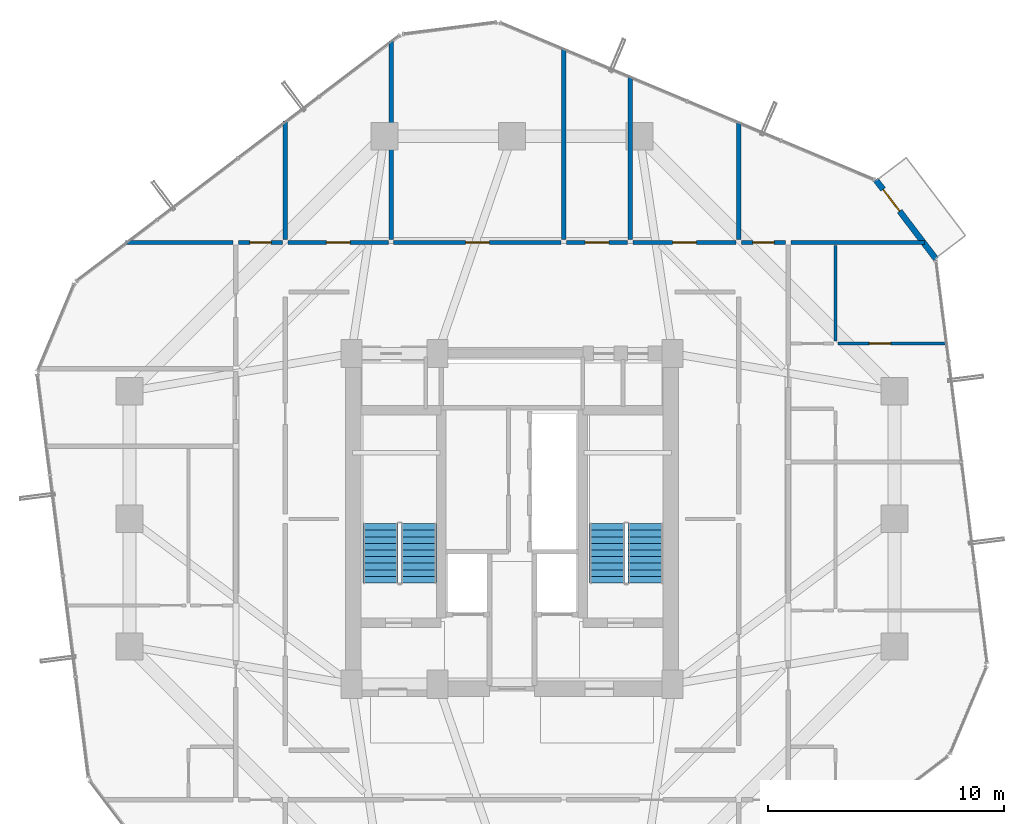
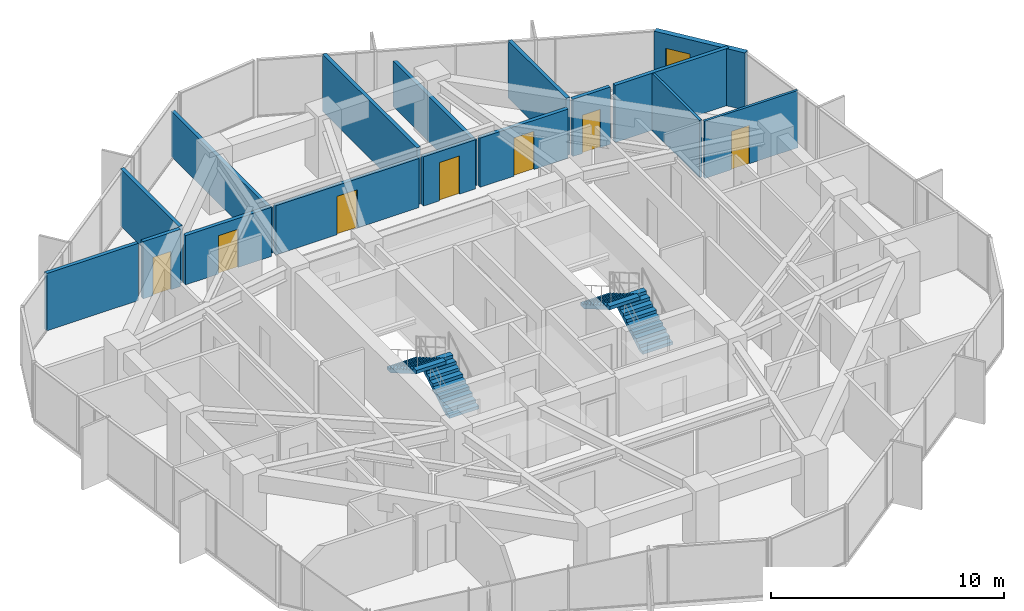
# One storey, part 31 of 33: 16 walls, 8 doors, 4 stair flights, 8 openings, 2 elements without a shape of their own.
"""IFC4 building model written with IfcOpenShell, lengths in metres."""

from ifc_helpers import new_model, si_unit, direction, frame, frame_2d, origin, place, context, subcontext, project, spatial, polyline, rectangle, outline, extrude, source, transform, mapped, material, layer, layer_set, type_object, element, fill, aggregate, save


model = new_model("IFC4")

# Units and contexts
model_context = context("Model", 3, precision=1e-05, world=origin(), true_north=direction((0.0, 1.0)))
body_context = subcontext(model_context, "Body", "Model", "MODEL_VIEW")
ifc_project = project(units=[si_unit("LENGTHUNIT", "METRE"), si_unit("AREAUNIT", "SQUARE_METRE"), si_unit("VOLUMEUNIT", "CUBIC_METRE"), si_unit("PLANEANGLEUNIT", "RADIAN"), si_unit("MASSUNIT", "GRAM", prefix="KILO")], contexts=[model_context])

# Site, building, storey
site_placement = place(None, origin())
site = spatial("IfcSite", under=ifc_project, at=site_placement, CompositionType="ELEMENT")
building_placement = place(site_placement, origin())
building = spatial("IfcBuilding", under=site, at=building_placement, Name="Veraguas Prism Commons", CompositionType="ELEMENT")
storey_placement = place(building_placement, frame((0.0, 0.0, 152.25)))
storey = spatial("IfcBuildingStorey", under=building, at=storey_placement, Name="L43", CompositionType="ELEMENT", Elevation=152.25)

# Walls
ifc_material_1 = material(Name="Autoclaved aerated masonry block 10 MPa", Category="masonry")
ifc_layer_1 = layer(ifc_material_1, 0.179931640625, Name="Corridor and Inter-Tenancy Partition 180", Category="masonry")
ifc_layer_set_1 = layer_set([ifc_layer_1], Name="Autoclaved aerated masonry block 10 MPa")
wall_type_1 = type_object("IfcWallType", Name="Corridor and Inter-Tenancy Partition 180", PredefinedType="PARTITIONING", material=ifc_layer_set_1)
wall_1_placement = place(storey_placement, frame((14.39990234375, 35.820068359375, 0.0), z_axis=(0.0, 0.0, 1.0), x_axis=(0.0, 1.0, 0.0)))
element("IfcWall", 1, at=wall_1_placement, inside=storey, type_object=wall_type_1, Name="WL-L43-PT005", PredefinedType="PARTITIONING", context=body_context, shape_type="SweptSolid", body=[
    extrude(rectangle(XDim=5.015625, YDim=0.179931640625, at=frame_2d((2.5078125, 0.0))), origin(), (0.0, 0.0, 1.0), 3.0),
])
wall_2_placement = place(storey_placement, frame((33.60009765625, 35.820068359375, 0.0), z_axis=(0.0, 0.0, 1.0), x_axis=(0.0, 1.0, 0.0)))
element("IfcWall", 2, at=wall_2_placement, inside=storey, type_object=wall_type_1, Name="WL-L43-PT006", PredefinedType="PARTITIONING", context=body_context, shape_type="SweptSolid", body=[
    extrude(rectangle(XDim=4.987060546875, YDim=0.179931640625, at=frame_2d((2.49365234375, 0.0))), origin(), (0.0, 0.0, 1.0), 3.0),
])

# Wall, opening, door
wall_3_placement = place(storey_placement, frame((14.510009765625, 35.699951171875, 0.0), z_axis=(0.0, 0.0, 1.0), x_axis=(1.0, 0.0, 0.0)))
wall_3 = element("IfcWall", 3, at=wall_3_placement, inside=storey, type_object=wall_type_1, Name="WL-L43-PT007", PredefinedType="PARTITIONING", context=body_context, shape_type="SweptSolid", body=[
    extrude(rectangle(XDim=4.261962890625, YDim=0.179931640625, at=frame_2d((2.130859375, 0.0))), origin(), (0.0, 0.0, 1.0), 2.580078125),
])
opening_1_placement = place(wall_3_placement, frame((1.631103515625, 0.0, 0.0)))
opening_1 = element("IfcOpeningElement", 4, at=opening_1_placement, cuts=wall_3, Name="Opening DR-13", PredefinedType="OPENING", context=body_context, shape_type="SweptSolid", body=[
    extrude(rectangle(XDim=1.0, YDim=2.010009765625, at=frame_2d((0.5, 1.0048828125))), frame((0.0, 0.099853515625, 0.0), z_axis=(0.0, -1.0, 0.0), x_axis=(1.0, 0.0, 0.0)), (0.0, 0.0, 1.0), 0.199951171875),
])
ifc_material_2 = material(Name="Steel fire-rated door assembly", Category="steel")
door_type_1 = type_object("IfcDoorType", Name="Core Accessible WC and Clinic Fire Door 1000x2010", OperationType="NOTDEFINED", PredefinedType="DOOR", material=ifc_material_2)
shared_shape_1 = source(origin(), body_context, "Body", "SweptSolid", [
    extrude(rectangle(XDim=1.0, YDim=2.010009765625, at=frame_2d((0.5, 1.0048828125))), frame((0.0, 0.02490234375, 0.0), z_axis=(0.0, -1.0, 0.0), x_axis=(1.0, 0.0, 0.0)), (0.0, 0.0, 1.0), 0.050048828125),
])
door_1_placement = place(opening_1_placement, origin())
door_1 = element("IfcDoor", 5, at=door_1_placement, inside=storey, type_object=door_type_1, Name="Community Co-op Kitchen Door", OperationType="SINGLE_SWING_RIGHT", OverallHeight=2.010009765625, OverallWidth=1.0, PredefinedType="DOOR", context=body_context, shape_type="MappedRepresentation", body=[
    mapped(shared_shape_1, transform((0.0, 0.0, 0.0), scale=1.0)),
])
fill(opening_1, door_1)

wall_4_placement = place(storey_placement, frame((18.991943359375, 35.699951171875, 0.0), z_axis=(0.0, 0.0, 1.0), x_axis=(1.0, 0.0, 0.0)))
wall_4 = element("IfcWall", 6, at=wall_4_placement, inside=storey, type_object=wall_type_1, Name="WL-L43-PT008", PredefinedType="PARTITIONING", context=body_context, shape_type="SweptSolid", body=[
    extrude(rectangle(XDim=7.092041015625, YDim=0.179931640625, at=frame_2d((3.5458984375, 0.0))), origin(), (0.0, 0.0, 1.0), 2.580078125),
])
opening_2_placement = place(wall_4_placement, frame((3.0458984375, 0.0, 0.0)))
opening_2 = element("IfcOpeningElement", 7, at=opening_2_placement, cuts=wall_4, Name="Opening DR-13", PredefinedType="OPENING", context=body_context, shape_type="SweptSolid", body=[
    extrude(rectangle(XDim=1.0, YDim=2.010009765625, at=frame_2d((0.5, 1.0048828125))), frame((0.0, 0.099853515625, 0.0), z_axis=(0.0, -1.0, 0.0), x_axis=(1.0, 0.0, 0.0)), (0.0, 0.0, 1.0), 0.199951171875),
])
door_2_placement = place(opening_2_placement, origin())
door_2 = element("IfcDoor", 8, at=door_2_placement, inside=storey, type_object=door_type_1, Name="Co-op Store N Door", OperationType="SINGLE_SWING_LEFT", OverallHeight=2.010009765625, OverallWidth=1.0, PredefinedType="DOOR", context=body_context, shape_type="MappedRepresentation", body=[
    mapped(shared_shape_1, transform((0.0, 0.0, 0.0), scale=1.0)),
])
fill(opening_2, door_2)

# Walls
wall_5_placement = place(storey_placement, frame((18.882080078125, 35.820068359375, 0.0), z_axis=(0.0, 0.0, 1.0), x_axis=(0.0, 1.0, 0.0)))
element("IfcWall", 9, at=wall_5_placement, inside=storey, type_object=wall_type_1, Name="WL-L43-PT009", PredefinedType="PARTITIONING", context=body_context, shape_type="SweptSolid", body=[
    extrude(rectangle(XDim=8.422607421875, YDim=0.179931640625, at=frame_2d((4.21142578125, 0.0))), origin(), (0.0, 0.0, 1.0), 2.3779296875),
])
wall_6_placement = place(storey_placement, frame((26.194091796875, 35.820068359375, 0.0), z_axis=(0.0, 0.0, 1.0), x_axis=(0.0, 1.0, 0.0)))
element("IfcWall", 10, at=wall_6_placement, inside=storey, type_object=wall_type_1, Name="WL-L43-PT010", PredefinedType="PARTITIONING", context=body_context, shape_type="SweptSolid", body=[
    extrude(rectangle(XDim=8.09423828125, YDim=0.179931640625, at=frame_2d((4.047119140625, 0.0))), origin(), (0.0, 0.0, 1.0), 3.0),
])

# Wall, opening, door
wall_7_placement = place(storey_placement, frame((26.303955078125, 35.699951171875, 0.0), z_axis=(0.0, 0.0, 1.0), x_axis=(1.0, 0.0, 0.0)))
wall_7 = element("IfcWall", 11, at=wall_7_placement, inside=storey, type_object=wall_type_1, Name="WL-L43-PT011", PredefinedType="PARTITIONING", context=body_context, shape_type="SweptSolid", body=[
    extrude(rectangle(XDim=2.593994140625, YDim=0.179931640625, at=frame_2d((1.296875, 0.0))), origin(), (0.0, 0.0, 1.0), 2.580078125),
])
opening_3_placement = place(wall_7_placement, frame((0.797119140625, 0.0, 0.0)))
opening_3 = element("IfcOpeningElement", 12, at=opening_3_placement, cuts=wall_7, Name="Opening DR-13", PredefinedType="OPENING", context=body_context, shape_type="SweptSolid", body=[
    extrude(rectangle(XDim=1.0, YDim=2.010009765625, at=frame_2d((0.5, 1.0048828125))), frame((0.0, 0.099853515625, 0.0), z_axis=(0.0, -1.0, 0.0), x_axis=(1.0, 0.0, 0.0)), (0.0, 0.0, 1.0), 0.199951171875),
])
door_3_placement = place(opening_3_placement, origin())
door_3 = element("IfcDoor", 13, at=door_3_placement, inside=storey, type_object=door_type_1, Name="Youth Homework Study Room Door", OperationType="SINGLE_SWING_RIGHT", OverallHeight=2.010009765625, OverallWidth=1.0, PredefinedType="DOOR", context=body_context, shape_type="MappedRepresentation", body=[
    mapped(shared_shape_1, transform((0.0, 0.0, 0.0), scale=1.0)),
])
fill(opening_3, door_3)

wall_8_placement = place(storey_placement, frame((29.117919921875, 35.699951171875, 0.0), z_axis=(0.0, 0.0, 1.0), x_axis=(1.0, 0.0, 0.0)))
wall_8 = element("IfcWall", 14, at=wall_8_placement, inside=storey, type_object=wall_type_1, Name="WL-L43-PT012", PredefinedType="PARTITIONING", context=body_context, shape_type="SweptSolid", body=[
    extrude(rectangle(XDim=4.3720703125, YDim=0.179931640625, at=frame_2d((2.18603515625, 0.0))), origin(), (0.0, 0.0, 1.0), 2.580078125),
])
opening_4_placement = place(wall_8_placement, frame((1.68603515625, 0.0, 0.0)))
opening_4 = element("IfcOpeningElement", 15, at=opening_4_placement, cuts=wall_8, Name="Opening DR-13", PredefinedType="OPENING", context=body_context, shape_type="SweptSolid", body=[
    extrude(rectangle(XDim=1.0, YDim=2.010009765625, at=frame_2d((0.5, 1.0048828125))), frame((0.0, 0.099853515625, 0.0), z_axis=(0.0, -1.0, 0.0), x_axis=(1.0, 0.0, 0.0)), (0.0, 0.0, 1.0), 0.199951171875),
])
door_4_placement = place(opening_4_placement, origin())
door_4 = element("IfcDoor", 16, at=door_4_placement, inside=storey, type_object=door_type_1, Name="Co-op Store N Door", OperationType="SINGLE_SWING_LEFT", OverallHeight=2.010009765625, OverallWidth=1.0, PredefinedType="DOOR", context=body_context, shape_type="MappedRepresentation", body=[
    mapped(shared_shape_1, transform((0.0, 0.0, 0.0), scale=1.0)),
])
fill(opening_4, door_4)

# Walls
wall_9_placement = place(storey_placement, frame((29.008056640625, 35.820068359375, 0.0), z_axis=(0.0, 0.0, 1.0), x_axis=(0.0, 1.0, 0.0)))
element("IfcWall", 17, at=wall_9_placement, inside=storey, type_object=wall_type_1, Name="WL-L43-PT013", PredefinedType="PARTITIONING", context=body_context, shape_type="SweptSolid", body=[
    extrude(rectangle(XDim=6.913818359375, YDim=0.179931640625, at=frame_2d((3.45703125, 0.0))), origin(), (0.0, 0.0, 1.0), 2.3779296875),
])
wall_10_placement = place(storey_placement, frame((12.179931640625, 35.699951171875, 0.0), z_axis=(0.0, 0.0, 1.0), x_axis=(-1.0, 0.0, 0.0)))
element("IfcWall", 18, at=wall_10_placement, inside=storey, type_object=wall_type_1, Name="WL-L43-PT015", PredefinedType="PARTITIONING", context=body_context, shape_type="SweptSolid", body=[
    extrude(rectangle(XDim=4.5361328125, YDim=0.179931640625, at=frame_2d((2.26806640625, 0.0))), origin(), (0.0, 0.0, 1.0), 3.0),
])
wall_11_placement = place(storey_placement, frame((35.820068359375, 35.699951171875, 0.0), z_axis=(0.0, 0.0, 1.0), x_axis=(1.0, 0.0, 0.0)))
element("IfcWall", 19, at=wall_11_placement, inside=storey, type_object=wall_type_1, Name="WL-L43-PT027", PredefinedType="PARTITIONING", context=body_context, shape_type="SweptSolid", body=[
    extrude(rectangle(XDim=5.640869140625, YDim=0.179931640625, at=frame_2d((2.8203125, 0.0))), origin(), (0.0, 0.0, 1.0), 3.0),
])

# Wall, opening, door
wall_12_placement = place(storey_placement, frame((12.419921875, 35.699951171875, 0.0), z_axis=(0.0, 0.0, 1.0), x_axis=(1.0, 0.0, 0.0)))
wall_12 = element("IfcWall", 20, at=wall_12_placement, inside=storey, type_object=wall_type_1, Name="WL-L43-PT043", PredefinedType="PARTITIONING", context=body_context, shape_type="SweptSolid", body=[
    extrude(rectangle(XDim=1.860107421875, YDim=0.179931640625, at=frame_2d((0.93017578125, 0.0))), origin(), (0.0, 0.0, 1.0), 3.0),
])
opening_5_placement = place(wall_12_placement, frame((0.47998046875, 0.0, 0.0)))
opening_5 = element("IfcOpeningElement", 21, at=opening_5_placement, cuts=wall_12, Name="Opening DR-14", PredefinedType="OPENING", context=body_context, shape_type="SweptSolid", body=[
    extrude(rectangle(XDim=0.89990234375, YDim=2.010009765625, at=frame_2d((0.449951171875, 1.0048828125))), frame((0.0, 0.099853515625, 0.0), z_axis=(0.0, -1.0, 0.0), x_axis=(1.0, 0.0, 0.0)), (0.0, 0.0, 1.0), 0.199951171875),
])
door_type_2 = type_object("IfcDoorType", Name="Core Service Room Fire Door 900x2010", OperationType="NOTDEFINED", PredefinedType="DOOR", material=ifc_material_2)
shared_shape_2 = source(origin(), body_context, "Body", "SweptSolid", [
    extrude(rectangle(XDim=0.89990234375, YDim=2.010009765625, at=frame_2d((0.449951171875, 1.0048828125))), frame((0.0, 0.02490234375, 0.0), z_axis=(0.0, -1.0, 0.0), x_axis=(1.0, 0.0, 0.0)), (0.0, 0.0, 1.0), 0.050048828125),
])
door_5_placement = place(opening_5_placement, origin())
door_5 = element("IfcDoor", 22, at=door_5_placement, inside=storey, type_object=door_type_2, Name="Community Co-op Kitchen NW Door", OperationType="SINGLE_SWING_RIGHT", OverallHeight=2.010009765625, OverallWidth=0.89990234375, PredefinedType="DOOR", context=body_context, shape_type="MappedRepresentation", body=[
    mapped(shared_shape_2, transform((0.0, 0.0, 0.0), scale=1.0)),
])
fill(opening_5, door_5)

wall_13_placement = place(storey_placement, frame((33.719970703125, 35.699951171875, 0.0), z_axis=(0.0, 0.0, 1.0), x_axis=(1.0, 0.0, 0.0)))
wall_13 = element("IfcWall", 23, at=wall_13_placement, inside=storey, type_object=wall_type_1, Name="WL-L43-PT044", PredefinedType="PARTITIONING", context=body_context, shape_type="SweptSolid", body=[
    extrude(rectangle(XDim=1.860107421875, YDim=0.179931640625, at=frame_2d((0.93017578125, 0.0))), origin(), (0.0, 0.0, 1.0), 3.0),
])
opening_6_placement = place(wall_13_placement, frame((0.47998046875, 0.0, 0.0)))
opening_6 = element("IfcOpeningElement", 24, at=opening_6_placement, cuts=wall_13, Name="Opening DR-14", PredefinedType="OPENING", context=body_context, shape_type="SweptSolid", body=[
    extrude(rectangle(XDim=0.89990234375, YDim=2.010009765625, at=frame_2d((0.449951171875, 1.0048828125))), frame((0.0, 0.099853515625, 0.0), z_axis=(0.0, -1.0, 0.0), x_axis=(1.0, 0.0, 0.0)), (0.0, 0.0, 1.0), 0.199951171875),
])
door_6_placement = place(opening_6_placement, origin())
door_6 = element("IfcDoor", 25, at=door_6_placement, inside=storey, type_object=door_type_2, Name="Residents Cycle and Pram Store NE Door", OperationType="SINGLE_SWING_LEFT", OverallHeight=2.010009765625, OverallWidth=0.89990234375, PredefinedType="DOOR", context=body_context, shape_type="MappedRepresentation", body=[
    mapped(shared_shape_2, transform((0.0, 0.0, 0.0), scale=1.0)),
])
fill(opening_6, door_6)

ifc_material_3 = material(Name="Precast concrete C40/50", Category="concrete")
ifc_layer_2 = layer(ifc_material_3, 0.25, Name="External Loggia and Portal Wall 250", Category="concrete")
ifc_layer_set_2 = layer_set([ifc_layer_2], Name="Precast concrete C40/50")
wall_type_2 = type_object("IfcWallType", Name="External Loggia and Portal Wall 250", PredefinedType="SOLIDWALL", material=ifc_layer_set_2)
wall_14_placement = place(storey_placement, frame((41.960205078125, 34.99365234375, 0.0), z_axis=(0.0, 0.0, 1.0), x_axis=(-0.605182702293, 0.796086613909, 0.0)))
wall_14 = element("IfcWall", 26, at=wall_14_placement, inside=storey, type_object=wall_type_2, Name="Corner Loggia Wall L43-C1", PredefinedType="SOLIDWALL", context=body_context, shape_type="SweptSolid", body=[
    extrude(rectangle(XDim=4.233154296875, YDim=0.25, at=frame_2d((2.11669921875, 0.0))), origin(), (0.0, 0.0, 1.0), 3.0),
])
opening_7_placement = place(wall_14_placement, frame((2.56005859375, 0.0, 0.0)))
opening_7 = element("IfcOpeningElement", 27, at=opening_7_placement, cuts=wall_14, Name="Opening DR-10", PredefinedType="OPENING", context=body_context, shape_type="SweptSolid", body=[
    extrude(rectangle(XDim=1.14990234375, YDim=2.25, at=frame_2d((0.574951171875, 1.125))), frame((0.0, 0.135009765625, 0.0), z_axis=(0.0, -1.0, 0.0), x_axis=(1.0, 0.0, 0.0)), (0.0, 0.0, 1.0), 0.27001953125),
])
ifc_material_4 = material(Name="Anodised aluminium EN AW-6063 T6", Category="aluminium")
door_type_3 = type_object("IfcDoorType", Name="Glazed Loggia and Terrace Door 1150x2250", OperationType="NOTDEFINED", PredefinedType="DOOR", material=ifc_material_4)
shared_shape_3 = source(origin(), body_context, "Body", "SweptSolid", [
    extrude(rectangle(XDim=1.14990234375, YDim=2.25, at=frame_2d((0.574951171875, 1.125))), frame((0.0, 0.02490234375, 0.0), z_axis=(0.0, -1.0, 0.0), x_axis=(1.0, 0.0, 0.0)), (0.0, 0.0, 1.0), 0.050048828125),
])
door_7_placement = place(opening_7_placement, frame((1.14990234375, 0.0, 0.0), z_axis=(0.0, 0.0, 1.0), x_axis=(-1.0, 0.0, 0.0)))
door_7 = element("IfcDoor", 28, at=door_7_placement, inside=storey, type_object=door_type_3, Name="Recessed Loggia Door L43-C1", OperationType="SINGLE_SWING_LEFT", OverallHeight=2.25, OverallWidth=1.14990234375, PredefinedType="DOOR", context=body_context, shape_type="MappedRepresentation", body=[
    mapped(shared_shape_3, transform((0.0, 0.0, 0.0), scale=1.0)),
])
fill(opening_7, door_7)

# Wall
ifc_material_5 = material(Name="Lightweight acoustic gypsum board")
ifc_layer_3 = layer(ifc_material_5, 0.125, Name="Internal Apartment Room Partition 125")
ifc_layer_set_3 = layer_set([ifc_layer_3], Name="Lightweight acoustic gypsum board")
wall_type_3 = type_object("IfcWallType", Name="Internal Apartment Room Partition 125", PredefinedType="PARTITIONING", material=ifc_layer_set_3)
wall_15_placement = place(storey_placement, frame((37.699951171875, 31.52294921875, 0.0), z_axis=(0.0, 0.0, 1.0), x_axis=(0.0, 1.0, 0.0)))
element("IfcWall", 29, at=wall_15_placement, inside=storey, type_object=wall_type_3, Name="WL-L43-PT039", PredefinedType="PARTITIONING", context=body_context, shape_type="SweptSolid", body=[
    extrude(rectangle(XDim=4.05712890625, YDim=0.125, at=frame_2d((2.028564453125, 0.0))), origin(), (0.0, 0.0, 1.0), 3.0),
])

# Wall, opening, door
wall_16_placement = place(storey_placement, frame((37.800048828125, 31.423095703125, 0.0), z_axis=(0.0, 0.0, 1.0), x_axis=(1.0, 0.0, 0.0)))
wall_16 = element("IfcWall", 30, at=wall_16_placement, inside=storey, type_object=wall_type_3, Name="WL-L43-PT040", PredefinedType="PARTITIONING", context=body_context, shape_type="SweptSolid", body=[
    extrude(rectangle(XDim=4.623779296875, YDim=0.125, at=frame_2d((2.31201171875, 0.0))), origin(), (0.0, 0.0, 1.0), 3.0),
])
opening_8_placement = place(wall_16_placement, frame((1.330078125, 0.0, 0.0)))
opening_8 = element("IfcOpeningElement", 31, at=opening_8_placement, cuts=wall_16, Name="Opening DR-02", PredefinedType="OPENING", context=body_context, shape_type="SweptSolid", body=[
    extrude(rectangle(XDim=0.89990234375, YDim=2.010009765625, at=frame_2d((0.449951171875, 1.0048828125))), frame((0.0, 0.072509765625, 0.0), z_axis=(0.0, -1.0, 0.0), x_axis=(1.0, 0.0, 0.0)), (0.0, 0.0, 1.0), 0.14501953125),
])
ifc_material_6 = material(Name="Timber solid core hardwood", Category="wood")
door_type_4 = type_object("IfcDoorType", Name="Internal Habitable Room Door 900x2010", OperationType="NOTDEFINED", PredefinedType="DOOR", material=ifc_material_6)
door_8_placement = place(opening_8_placement, origin())
door_8 = element("IfcDoor", 32, at=door_8_placement, inside=storey, type_object=door_type_4, Name="Flat 43C Bedroom 1 Door", OperationType="SINGLE_SWING_LEFT", OverallHeight=2.010009765625, OverallWidth=0.89990234375, PredefinedType="DOOR", context=body_context, shape_type="MappedRepresentation", body=[
    mapped(shared_shape_2, transform((0.0, 0.0, 0.0), scale=1.0)),
])
fill(opening_8, door_8)

# Stair, stair flights
ifc_material_7 = material(Name="Precast concrete C45/55", Category="concrete")
stair_type = type_object("IfcStairType", Name="Dogleg Core Stair 1480W 20R 05", PredefinedType="HALF_TURN_STAIR", material=ifc_material_7)
stair_1_placement = place(storey_placement, origin())
stair_1 = element("IfcStair", 33, at=stair_1_placement, inside=storey, type_object=stair_type, Name="Protected Exit Stair ST-01 L43", PredefinedType="HALF_TURN_STAIR")
stair_flight_type = type_object("IfcStairFlightType", Name="Precast Stair Flight 1480W 10R 05", PredefinedType="STRAIGHT", material=ifc_material_7)
stair_flight_1_placement = place(storey_placement, frame((20.06005859375, 21.280029296875, 0.0), z_axis=(0.0, 0.0, 1.0), x_axis=(0.0, 1.0, 0.0)))
stair_flight_1 = element("IfcStairFlight", 34, at=stair_flight_1_placement, type_object=stair_flight_type, Name="ST-05 Flight 1", NumberOfRisers=10, NumberOfTreads=9, PredefinedType="STRAIGHT", RiserHeight=0.1625, TreadLength=0.28, context=body_context, shape_type="SweptSolid", body=[
    extrude(outline(polyline([(0.0, 0.0), (0.0, 0.16259765625), (0.280029296875, 0.16259765625), (0.280029296875, 0.324951171875), (0.56005859375, 0.324951171875), (0.56005859375, 0.487548828125), (0.840087890625, 0.487548828125), (0.840087890625, 0.64990234375), (1.1201171875, 0.64990234375), (1.1201171875, 0.8125), (1.39990234375, 0.8125), (1.39990234375, 0.97509765625), (1.679931640625, 0.97509765625), (1.679931640625, 1.137451171875), (1.9599609375, 1.137451171875), (1.9599609375, 1.300048828125), (2.239990234375, 1.300048828125), (2.239990234375, 1.46240234375), (2.52001953125, 1.46240234375), (2.52001953125, 1.625), (2.52001953125, 1.2890625), (0.298583984375, 0.0), (0.0, 0.0)])), frame((0.0, 0.739990234375, 0.0), z_axis=(0.0, -1.0, 0.0), x_axis=(1.0, 0.0, 0.0)), (0.0, 0.0, 1.0), 1.47998046875),
])
stair_flight_2_placement = place(storey_placement, frame((18.429931640625, 23.800048828125, 1.625), z_axis=(0.0, 0.0, 1.0), x_axis=(0.0, -1.0, 0.0)))
stair_flight_2 = element("IfcStairFlight", 35, at=stair_flight_2_placement, type_object=stair_flight_type, Name="ST-05 Flight 2", NumberOfRisers=10, NumberOfTreads=9, PredefinedType="STRAIGHT", RiserHeight=0.1625, TreadLength=0.28, context=body_context, shape_type="SweptSolid", body=[
    extrude(outline(polyline([(0.0, 0.0), (0.0, 0.16259765625), (0.280029296875, 0.16259765625), (0.280029296875, 0.324951171875), (0.56005859375, 0.324951171875), (0.56005859375, 0.487548828125), (0.840087890625, 0.487548828125), (0.840087890625, 0.64990234375), (1.1201171875, 0.64990234375), (1.1201171875, 0.8125), (1.39990234375, 0.8125), (1.39990234375, 0.97509765625), (1.679931640625, 0.97509765625), (1.679931640625, 1.137451171875), (1.9599609375, 1.137451171875), (1.9599609375, 1.300048828125), (2.239990234375, 1.300048828125), (2.239990234375, 1.46240234375), (2.52001953125, 1.46240234375), (2.52001953125, 1.625), (2.52001953125, 1.2890625), (0.298583984375, 0.0), (0.0, 0.0)])), frame((0.0, 0.739990234375, 0.0), z_axis=(0.0, -1.0, 0.0), x_axis=(1.0, 0.0, 0.0)), (0.0, 0.0, 1.0), 1.47998046875),
])
aggregate(stair_1, [stair_flight_1, stair_flight_2])

stair_2_placement = place(storey_placement, origin())
stair_2 = element("IfcStair", 36, at=stair_2_placement, inside=storey, type_object=stair_type, Name="Protected Exit Stair ST-02 L43", PredefinedType="HALF_TURN_STAIR")
stair_flight_3_placement = place(storey_placement, frame((29.659912109375, 21.280029296875, 0.0), z_axis=(0.0, 0.0, 1.0), x_axis=(0.0, 1.0, 0.0)))
stair_flight_3 = element("IfcStairFlight", 37, at=stair_flight_3_placement, type_object=stair_flight_type, Name="ST-05 Flight 1", NumberOfRisers=10, NumberOfTreads=9, PredefinedType="STRAIGHT", RiserHeight=0.1625, TreadLength=0.28, context=body_context, shape_type="SweptSolid", body=[
    extrude(outline(polyline([(0.0, 0.0), (0.0, 0.16259765625), (0.280029296875, 0.16259765625), (0.280029296875, 0.324951171875), (0.56005859375, 0.324951171875), (0.56005859375, 0.487548828125), (0.840087890625, 0.487548828125), (0.840087890625, 0.64990234375), (1.1201171875, 0.64990234375), (1.1201171875, 0.8125), (1.39990234375, 0.8125), (1.39990234375, 0.97509765625), (1.679931640625, 0.97509765625), (1.679931640625, 1.137451171875), (1.9599609375, 1.137451171875), (1.9599609375, 1.300048828125), (2.239990234375, 1.300048828125), (2.239990234375, 1.46240234375), (2.52001953125, 1.46240234375), (2.52001953125, 1.625), (2.52001953125, 1.2890625), (0.298583984375, 0.0), (0.0, 0.0)])), frame((0.0, 0.739990234375, 0.0), z_axis=(0.0, -1.0, 0.0), x_axis=(1.0, 0.0, 0.0)), (0.0, 0.0, 1.0), 1.47998046875),
])
stair_flight_4_placement = place(storey_placement, frame((28.030029296875, 23.800048828125, 1.625), z_axis=(0.0, 0.0, 1.0), x_axis=(0.0, -1.0, 0.0)))
stair_flight_4 = element("IfcStairFlight", 38, at=stair_flight_4_placement, type_object=stair_flight_type, Name="ST-05 Flight 2", NumberOfRisers=10, NumberOfTreads=9, PredefinedType="STRAIGHT", RiserHeight=0.1625, TreadLength=0.28, context=body_context, shape_type="SweptSolid", body=[
    extrude(outline(polyline([(0.0, 0.0), (0.0, 0.16259765625), (0.280029296875, 0.16259765625), (0.280029296875, 0.324951171875), (0.56005859375, 0.324951171875), (0.56005859375, 0.487548828125), (0.840087890625, 0.487548828125), (0.840087890625, 0.64990234375), (1.1201171875, 0.64990234375), (1.1201171875, 0.8125), (1.39990234375, 0.8125), (1.39990234375, 0.97509765625), (1.679931640625, 0.97509765625), (1.679931640625, 1.137451171875), (1.9599609375, 1.137451171875), (1.9599609375, 1.300048828125), (2.239990234375, 1.300048828125), (2.239990234375, 1.46240234375), (2.52001953125, 1.46240234375), (2.52001953125, 1.625), (2.52001953125, 1.2890625), (0.298583984375, 0.0), (0.0, 0.0)])), frame((0.0, 0.739990234375, 0.0), z_axis=(0.0, -1.0, 0.0), x_axis=(1.0, 0.0, 0.0)), (0.0, 0.0, 1.0), 1.47998046875),
])
aggregate(stair_2, [stair_flight_3, stair_flight_4])

save(model, "model.ifc")
